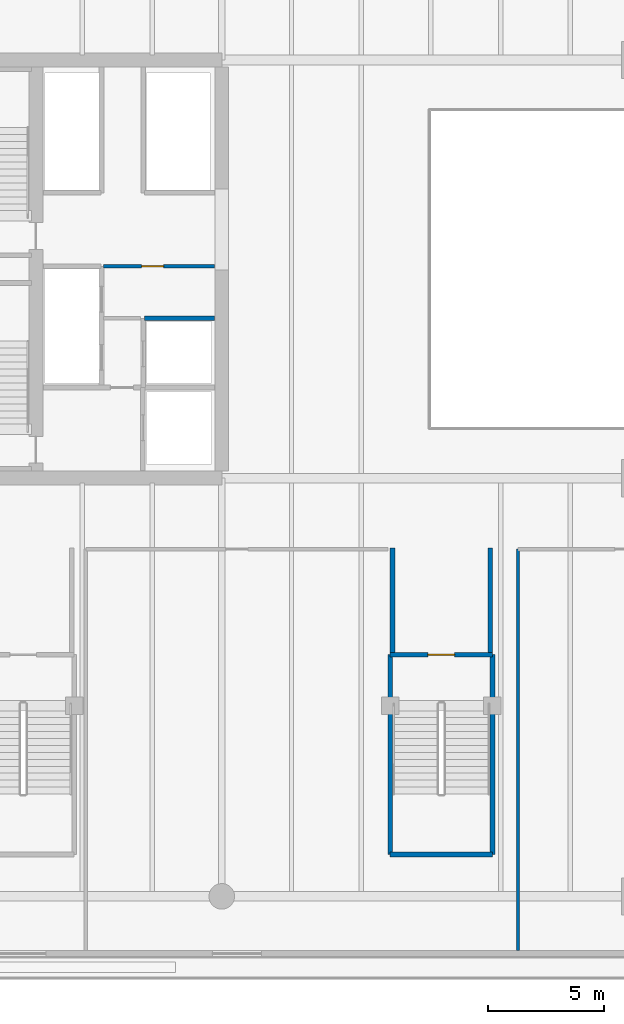
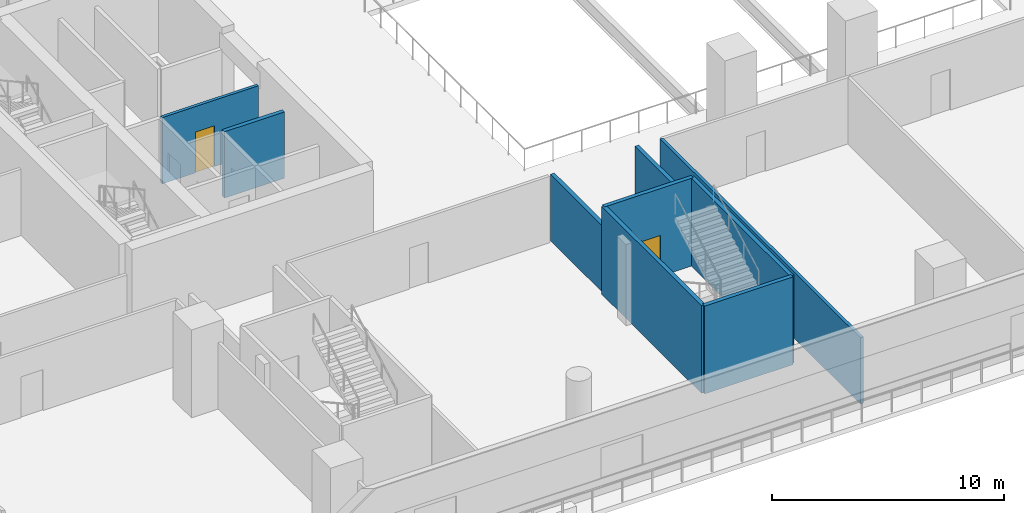
# One storey, part 4 of 27: 9 walls, 2 doors, 2 openings.
"""IFC4 building model written with IfcOpenShell, lengths in metres."""

from ifc_helpers import new_model, si_unit, direction, frame, frame_2d, origin, place, context, subcontext, project, spatial, rectangle, extrude, material, layer, layer_set, type_object, element, fill, save


model = new_model("IFC4")

# Units and contexts
model_context = context("Model", 3, precision=1e-05, world=origin(), true_north=direction((0.0, 1.0)))
body_context = subcontext(model_context, "Body", "Model", "MODEL_VIEW")
ifc_project = project(units=[si_unit("LENGTHUNIT", "METRE"), si_unit("AREAUNIT", "SQUARE_METRE"), si_unit("VOLUMEUNIT", "CUBIC_METRE"), si_unit("PLANEANGLEUNIT", "RADIAN"), si_unit("MASSUNIT", "GRAM", prefix="KILO")], contexts=[model_context])

# Site, building, storey
site_placement = place(None, origin())
site = spatial("IfcSite", under=ifc_project, at=site_placement, CompositionType="ELEMENT")
building_placement = place(site_placement, origin())
building = spatial("IfcBuilding", under=site, at=building_placement, Name="Tanjung Sevakor Pilgrim Tower", CompositionType="ELEMENT")
storey_placement = place(building_placement, frame((0.0, 0.0, 19.469970703125)))
storey = spatial("IfcBuildingStorey", under=building, at=storey_placement, Name="L05", CompositionType="ELEMENT", Elevation=19.469970703125)

# Wall, opening, door
ifc_material_1 = material(Name="Concrete C40/50", Category="concrete")
ifc_layer_1 = layer(ifc_material_1, 0.14990234375)
ifc_layer_set_1 = layer_set([ifc_layer_1], Name="WT-COMP-150")
wall_type_1 = type_object("IfcWallType", Name="WT-COMP-150", PredefinedType="SOLIDWALL", material=ifc_layer_set_1)
wall_1_placement = place(storey_placement, frame((30.89990234375, 33.719970703125, 0.0), z_axis=(0.0, 0.0, 1.0), x_axis=(1.0, 0.0, 0.0)))
wall_1 = element("IfcWall", 1, at=wall_1_placement, inside=storey, type_object=wall_type_1, Name="L05 Partition IW-L05-008", PredefinedType="SOLIDWALL", context=body_context, shape_type="SweptSolid", body=[
    extrude(rectangle(XDim=4.780029296875, YDim=0.14990234375, at=frame_2d((2.39013671875, 0.0))), origin(), (0.0, 0.0, 1.0), 3.489990234375),
])
opening_1_placement = place(wall_1_placement, frame((1.64990234375, 0.0, 0.0)))
opening_1 = element("IfcOpeningElement", 2, at=opening_1_placement, cuts=wall_1, Name="Opening ID-FD2", PredefinedType="OPENING", context=body_context, shape_type="SweptSolid", body=[
    extrude(rectangle(XDim=0.949951171875, YDim=2.14990234375, at=frame_2d((0.47509765625, 1.074951171875))), frame((0.0, 0.0849609375, 0.0), z_axis=(0.0, -1.0, 0.0), x_axis=(1.0, 0.0, 0.0)), (0.0, 0.0, 1.0), 0.169921875),
])
ifc_material_2 = material(Name="Fire-Rated Timber", Category="wood")
door_type_1 = type_object("IfcDoorType", Name="DT-FIRE-950", OperationType="NOTDEFINED", PredefinedType="DOOR", material=ifc_material_2)
door_1_placement = place(opening_1_placement, origin())
door_1 = element("IfcDoor", 3, at=door_1_placement, inside=storey, type_object=door_type_1, Name="L05 Accessible WC Door", OperationType="SINGLE_SWING_LEFT", OverallHeight=2.14990234375, OverallWidth=0.949951171875, PredefinedType="DOOR", context=body_context, shape_type="SweptSolid", body=[
    extrude(rectangle(XDim=0.949951171875, YDim=2.14990234375, at=frame_2d((0.47509765625, 1.074951171875))), frame((0.0, 0.02490234375, 0.0), z_axis=(0.0, -1.0, 0.0), x_axis=(1.0, 0.0, 0.0)), (0.0, 0.0, 1.0), 0.050048828125),
])
fill(opening_1, door_1)

# Walls
wall_2_placement = place(storey_placement, frame((48.75, 4.280029296875, 0.0), z_axis=(0.0, 0.0, 1.0), x_axis=(0.0, 1.0, 0.0)))
element("IfcWall", 4, at=wall_2_placement, inside=storey, type_object=wall_type_1, Name="L05 Partition IW-L05-040", PredefinedType="SOLIDWALL", context=body_context, shape_type="SweptSolid", body=[
    extrude(rectangle(XDim=17.27001953125, YDim=0.14990234375, at=frame_2d((8.635009765625, 0.0))), origin(), (0.0, 0.0, 1.0), 3.489990234375),
])
ifc_material_3 = material(Name="Concrete C40/50", Category="concrete")
ifc_layer_2 = layer(ifc_material_3, 0.199951171875)
ifc_layer_set_2 = layer_set([ifc_layer_2], Name="WT-FIRE-200")
wall_type_2 = type_object("IfcWallType", Name="WT-FIRE-200", PredefinedType="SOLIDWALL", material=ifc_layer_set_2)
wall_3_placement = place(storey_placement, frame((43.25, 8.39990234375, 0.0), z_axis=(0.0, 0.0, 1.0), x_axis=(1.0, 0.0, 0.0)))
element("IfcWall", 5, at=wall_3_placement, inside=storey, type_object=wall_type_2, Name="L05 PS-3 Shaft Wall 1", PredefinedType="SOLIDWALL", context=body_context, shape_type="SweptSolid", body=[
    extrude(rectangle(XDim=4.39990234375, YDim=0.199951171875, at=frame_2d((2.199951171875, 0.0))), origin(), (0.0, 0.0, 1.0), 4.6201171875),
])
wall_4_placement = place(storey_placement, frame((47.64990234375, 8.39990234375, 0.0), z_axis=(0.0, 0.0, 1.0), x_axis=(0.0, 1.0, 0.0)))
element("IfcWall", 6, at=wall_4_placement, inside=storey, type_object=wall_type_2, Name="L05 PS-3 Shaft Wall 2", PredefinedType="SOLIDWALL", context=body_context, shape_type="SweptSolid", body=[
    extrude(rectangle(XDim=8.60009765625, YDim=0.199951171875, at=frame_2d((4.300048828125, 0.0))), origin(), (0.0, 0.0, 1.0), 4.6201171875),
])

# Wall, opening, door
wall_5_placement = place(storey_placement, frame((47.64990234375, 17.0, 0.0), z_axis=(0.0, 0.0, 1.0), x_axis=(-1.0, 0.0, 0.0)))
wall_5 = element("IfcWall", 7, at=wall_5_placement, inside=storey, type_object=wall_type_2, Name="L05 PS-3 Shaft Wall 3", PredefinedType="SOLIDWALL", context=body_context, shape_type="SweptSolid", body=[
    extrude(rectangle(XDim=4.39990234375, YDim=0.199951171875, at=frame_2d((2.199951171875, 0.0))), origin(), (0.0, 0.0, 1.0), 4.6201171875),
])
opening_2_placement = place(wall_5_placement, frame((1.625, 0.0, 0.0)))
opening_2 = element("IfcOpeningElement", 8, at=opening_2_placement, cuts=wall_5, Name="Opening ID-ST1", PredefinedType="OPENING", context=body_context, shape_type="SweptSolid", body=[
    extrude(rectangle(XDim=1.14990234375, YDim=2.14990234375, at=frame_2d((0.574951171875, 1.074951171875))), frame((0.0, 0.10986328125, 0.0), z_axis=(0.0, -1.0, 0.0), x_axis=(1.0, 0.0, 0.0)), (0.0, 0.0, 1.0), 0.219970703125),
])
ifc_material_4 = material(Name="Fire-Rated Steel S355J2", Category="steel")
door_type_2 = type_object("IfcDoorType", Name="DT-FIRE-1150", OperationType="NOTDEFINED", PredefinedType="DOOR", material=ifc_material_4)
door_2_placement = place(opening_2_placement, origin())
door_2 = element("IfcDoor", 9, at=door_2_placement, inside=storey, type_object=door_type_2, Name="L05 PS-3 Stair Entry Fire Door", OperationType="SINGLE_SWING_RIGHT", OverallHeight=2.14990234375, OverallWidth=1.14990234375, PredefinedType="DOOR", context=body_context, shape_type="SweptSolid", body=[
    extrude(rectangle(XDim=1.14990234375, YDim=2.14990234375, at=frame_2d((0.574951171875, 1.074951171875))), frame((0.0, 0.02490234375, 0.0), z_axis=(0.0, -1.0, 0.0), x_axis=(1.0, 0.0, 0.0)), (0.0, 0.0, 1.0), 0.050048828125),
])
fill(opening_2, door_2)

# Walls
wall_6_placement = place(storey_placement, frame((43.25, 17.0, 0.0), z_axis=(0.0, 0.0, 1.0), x_axis=(0.0, -1.0, 0.0)))
element("IfcWall", 10, at=wall_6_placement, inside=storey, type_object=wall_type_2, Name="L05 PS-3 Shaft Wall 4", PredefinedType="SOLIDWALL", context=body_context, shape_type="SweptSolid", body=[
    extrude(rectangle(XDim=8.60009765625, YDim=0.199951171875, at=frame_2d((4.300048828125, 0.0))), origin(), (0.0, 0.0, 1.0), 4.6201171875),
])
ifc_material_5 = material(Name="Concrete C40/50", Category="concrete")
ifc_layer_3 = layer(ifc_material_5, 0.199951171875)
ifc_layer_set_3 = layer_set([ifc_layer_3], Name="WT-FPRT-200")
wall_type_3 = type_object("IfcWallType", Name="WT-FPRT-200", PredefinedType="SOLIDWALL", material=ifc_layer_set_3)
wall_7_placement = place(storey_placement, frame((32.679931640625, 31.47998046875, 0.0), z_axis=(0.0, 0.0, 1.0), x_axis=(1.0, 0.0, 0.0)))
element("IfcWall", 11, at=wall_7_placement, inside=storey, type_object=wall_type_3, Name="L05 Partition IW-L05-005", PredefinedType="SOLIDWALL", context=body_context, shape_type="SweptSolid", body=[
    extrude(rectangle(XDim=3.0, YDim=0.199951171875, at=frame_2d((1.5, 0.0))), origin(), (0.0, 0.0, 1.0), 3.489990234375),
])
for number, where, z_axis, x_axis, name in (
    (12, (43.35009765625, 17.0, 0.0), (0.0, 0.0, 1.0), (0.0, 1.0, 0.0), "L05 Partition IW-L05-027"),
    (13, (47.550048828125, 17.0, 0.0), (0.0, 0.0, 1.0), (0.0, 1.0, 0.0), "L05 Partition IW-L05-028"),
):
    element("IfcWall", number, at=place(storey_placement, frame(where, z_axis=z_axis, x_axis=x_axis)), inside=storey, type_object=wall_type_3, Name=name, PredefinedType="SOLIDWALL", context=body_context, shape_type="SweptSolid", body=[
        extrude(rectangle(XDim=4.60009765625, YDim=0.199951171875, at=frame_2d((2.300048828125, 0.0))), origin(), (0.0, 0.0, 1.0), 3.489990234375),
    ])

save(model, "model.ifc")
